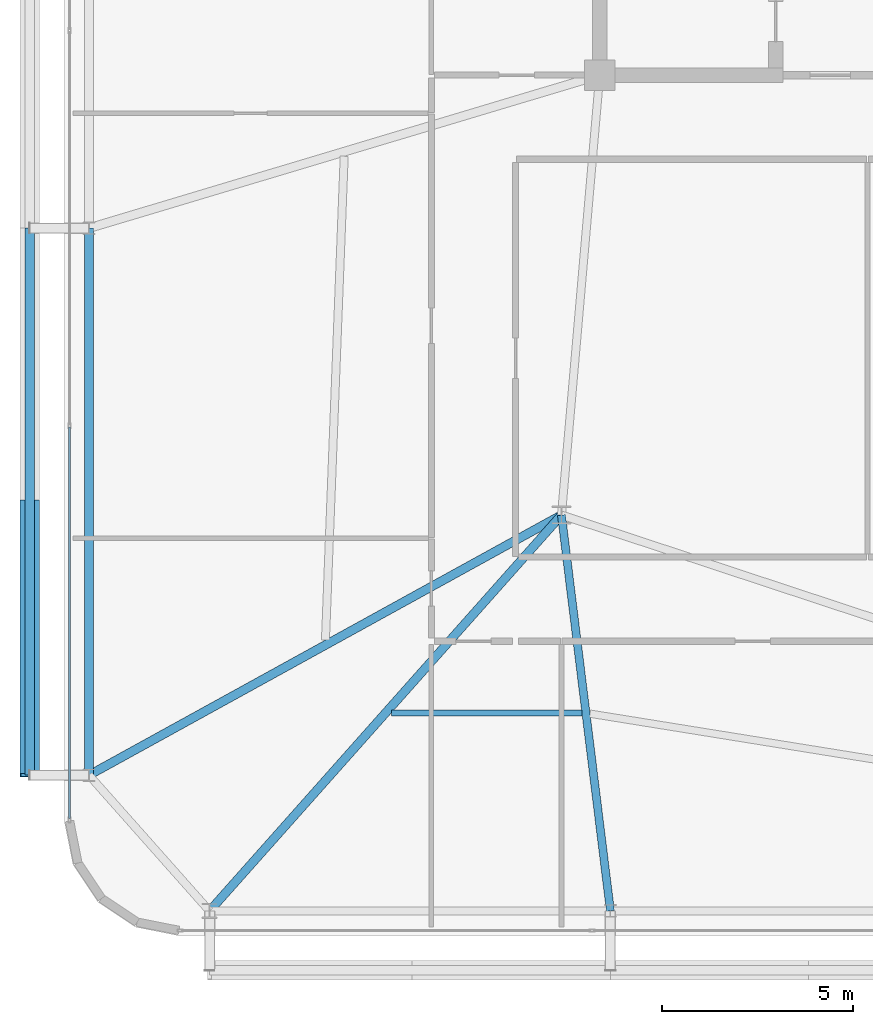
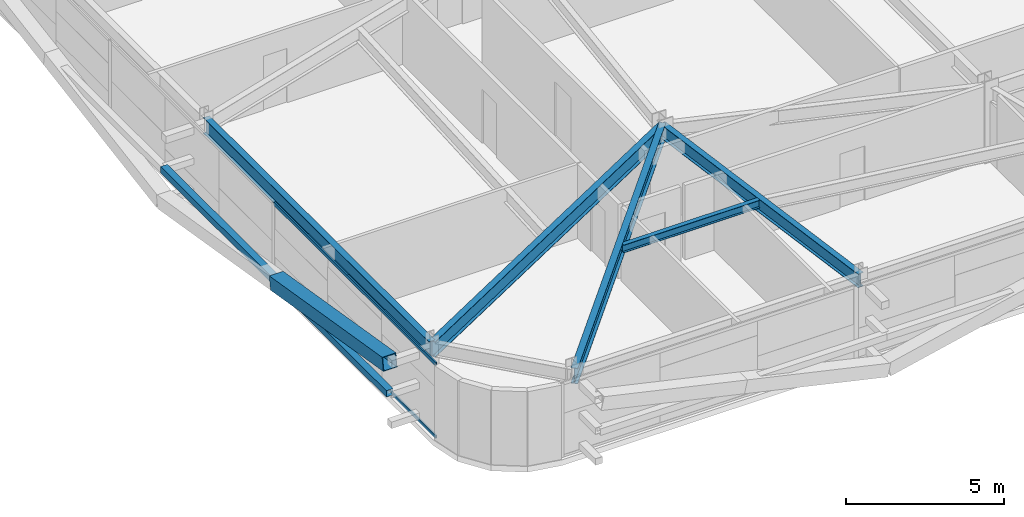
# One storey, part 7 of 45: 5 beams, 4 members, 1 element without a shape of its own.
"""IFC4 building model written with IfcOpenShell, lengths in metres."""

from ifc_helpers import new_model, si_unit, direction, frame, origin, origin_2d, place, context, subcontext, project, spatial, hollow_rectangle, i_section, extrude, source, transform, mapped, material, layer, layer_set, material_profile, profile_set, type_object, element, aggregate, save


model = new_model("IFC4")

# Units and contexts
model_context = context("Model", 3, precision=1e-05, world=origin(), true_north=direction((0.0, 1.0)))
body_context = subcontext(model_context, "Body", "Model", "MODEL_VIEW")
ifc_project = project(units=[si_unit("LENGTHUNIT", "METRE"), si_unit("AREAUNIT", "SQUARE_METRE"), si_unit("VOLUMEUNIT", "CUBIC_METRE"), si_unit("PLANEANGLEUNIT", "RADIAN"), si_unit("MASSUNIT", "GRAM", prefix="KILO")], contexts=[model_context])

# Site, building, storey
site_placement = place(None, origin())
site = spatial("IfcSite", under=ifc_project, at=site_placement, CompositionType="ELEMENT")
building_placement = place(site_placement, origin())
building = spatial("IfcBuilding", under=site, at=building_placement, Name="Taldren Reach Tower", CompositionType="ELEMENT")
storey_placement = place(building_placement, frame((0.0, 0.0, 57.75)))
storey = spatial("IfcBuildingStorey", under=building, at=storey_placement, Name="L17", CompositionType="ELEMENT", Elevation=57.75)

# Beams
ifc_material_1 = material(Name="Steel Gr 350 (350PLUS)", Category="steel")
ifc_material_profile_1 = material_profile(ifc_material_1, i_section(OverallWidth=0.22802734375, OverallDepth=0.60205078125, WebThickness=0.010498046875, FlangeThickness=0.014892578125, at=origin_2d()), Name="610UB101")
ifc_profile_set_1 = profile_set([ifc_material_profile_1], Name="Steel Gr 350 (350PLUS)")
beam_type_1 = type_object("IfcBeamType", Name="BM-UB610B", PredefinedType="BEAM", material=ifc_profile_set_1)
shared_shape_1 = source(origin(), body_context, "Body", "SweptSolid", [
    extrude(i_section(OverallWidth=0.22802734375, OverallDepth=0.60205078125, WebThickness=0.010498046875, FlangeThickness=0.014892578125, at=origin_2d()), origin(), (0.0, 0.0, 1.0), 14.300048828125),
])
beam_1_placement = place(storey_placement, frame((5.64990234375, 20.0, 2.569091796875), z_axis=(0.0, -1.0, 0.0), x_axis=(1.0, 0.0, 0.0)))
element("IfcBeam", 1, at=beam_1_placement, inside=storey, type_object=beam_type_1, Name="Perimeter gable girder B1 W2-W1 L17", PredefinedType="BEAM", context=body_context, shape_type="MappedRepresentation", body=[
    mapped(shared_shape_1, transform((0.0, 0.0, 0.0), scale=1.0)),
])
shared_shape_2 = source(origin(), body_context, "Body", "SweptSolid", [
    extrude(i_section(OverallWidth=0.22802734375, OverallDepth=0.60205078125, WebThickness=0.010498046875, FlangeThickness=0.014892578125, at=origin_2d()), origin(), (0.0, 0.0, 1.0), 13.847900390625),
])
beam_2_placement = place(storey_placement, frame((18.0, 12.5, 2.569091796875), z_axis=(-0.664358367375, -0.747414182164, 0.0), x_axis=(0.747414182164, -0.664358367375, 0.0)))
element("IfcBeam", 2, at=beam_2_placement, inside=storey, type_object=beam_type_1, Name="Primary floor girder B1-S1 L17", PredefinedType="BEAM", context=body_context, shape_type="MappedRepresentation", body=[
    mapped(shared_shape_2, transform((0.0, 0.0, 0.0), scale=1.0)),
])
ifc_material_profile_2 = material_profile(ifc_material_1, i_section(OverallWidth=0.208984375, OverallDepth=0.532958984375, WebThickness=0.01025390625, FlangeThickness=0.015625, at=origin_2d()), Name="530UB92.4")
ifc_profile_set_2 = profile_set([ifc_material_profile_2], Name="Steel Gr 350 (350PLUS)")
beam_type_2 = type_object("IfcBeamType", Name="BM-UB530A", PredefinedType="BEAM", material=ifc_profile_set_2)
shared_shape_3 = source(origin(), body_context, "Body", "SweptSolid", [
    extrude(i_section(OverallWidth=0.208984375, OverallDepth=0.532958984375, WebThickness=0.01025390625, FlangeThickness=0.015625, at=origin_2d()), origin(), (0.0, 0.0, 1.0), 10.428955078125),
])
beam_3_placement = place(storey_placement, frame((18.0, 12.5, 2.603515625), z_axis=(0.122738080664, -0.992439098159, 0.0), x_axis=(0.992439098159, 0.122738080664, 0.0)))
element("IfcBeam", 3, at=beam_3_placement, inside=storey, type_object=beam_type_2, Name="Primary floor girder B1-S2 L17", PredefinedType="BEAM", context=body_context, shape_type="MappedRepresentation", body=[
    mapped(shared_shape_3, transform((0.0, 0.0, 0.0), scale=1.0)),
])
shared_shape_4 = source(origin(), body_context, "Body", "SweptSolid", [
    extrude(i_section(OverallWidth=0.22802734375, OverallDepth=0.60205078125, WebThickness=0.010498046875, FlangeThickness=0.014892578125, at=origin_2d()), origin(), (0.0, 0.0, 1.0), 14.098388671875),
])
beam_4_placement = place(storey_placement, frame((18.0, 12.5, 2.569091796875), z_axis=(-0.875991325783, -0.482326857175, 0.0), x_axis=(0.482326857175, -0.875991325783, 0.0)))
element("IfcBeam", 4, at=beam_4_placement, inside=storey, type_object=beam_type_1, Name="Primary floor girder B1-W1 L17", PredefinedType="BEAM", context=body_context, shape_type="MappedRepresentation", body=[
    mapped(shared_shape_4, transform((0.0, 0.0, 0.0), scale=1.0)),
])
ifc_material_2 = material(Name="Steel Gr 300 (300PLUS, 300 MPa)", Category="steel")
ifc_material_profile_3 = material_profile(ifc_material_2, i_section(OverallWidth=0.166015625, OverallDepth=0.306884765625, WebThickness=0.006591796875, FlangeThickness=0.01171875, at=origin_2d()), Name="310UB46.2")
ifc_profile_set_3 = profile_set([ifc_material_profile_3], Name="Steel Gr 300 (300PLUS, 300 MPa)")
beam_type_3 = type_object("IfcBeamType", Name="JS-UB310", PredefinedType="JOIST", material=ifc_profile_set_3)
shared_shape_5 = source(origin(), body_context, "Body", "SweptSolid", [
    extrude(i_section(OverallWidth=0.166015625, OverallDepth=0.306884765625, WebThickness=0.006591796875, FlangeThickness=0.01171875, at=origin_2d()), origin(), (0.0, 0.0, 1.0), 4.982177734375),
])
beam_5_placement = place(storey_placement, frame((13.552490234375, 7.324951171875, 2.716552734375), z_axis=(1.0, 0.0, 0.0), x_axis=(0.0, 1.0, 0.0)))
element("IfcBeam", 5, at=beam_5_placement, inside=storey, type_object=beam_type_3, Name="Secondary floor joist B1 J1 L17", PredefinedType="JOIST", context=body_context, shape_type="MappedRepresentation", body=[
    mapped(shared_shape_5, transform((0.0, 0.0, 0.0), scale=1.0)),
])

# Members
ifc_material_3 = material(Name="Steel Gr 350 (C350L0)", Category="steel")
ifc_material_profile_4 = material_profile(ifc_material_3, hollow_rectangle(XDim=0.25, YDim=0.25, WallThickness=0.010009765625, at=origin_2d()), Name="250x250x10.0SHS")
ifc_profile_set_4 = profile_set([ifc_material_profile_4], Name="Steel Gr 350 (C350L0)")
member_type_1 = type_object("IfcMemberType", Name="MB-POST250", PredefinedType="POST", material=ifc_profile_set_4)
shared_shape_6 = source(origin(), body_context, "Body", "SweptSolid", [
    extrude(hollow_rectangle(XDim=0.25, YDim=0.25, WallThickness=0.010009765625, at=origin_2d()), origin(), (0.0, 0.0, 1.0), 14.300048828125),
])
member_1_placement = place(storey_placement, frame((4.10009765625, 5.699951171875, 1.405029296875), z_axis=(0.0, 1.0, 0.0), x_axis=(-1.0, 0.0, 0.0)))
element("IfcMember", 6, at=member_1_placement, inside=storey, type_object=member_type_1, Name="Exoskeleton mid-height ring chord B1-W1 L17", PredefinedType="POST", context=body_context, shape_type="MappedRepresentation", body=[
    mapped(shared_shape_6, transform((0.0, 0.0, 0.0), scale=1.0)),
])
ifc_material_4 = material(Name="Steel Gr 450 (C450L0)", Category="steel")
ifc_material_profile_5 = material_profile(ifc_material_4, hollow_rectangle(XDim=0.510009765625, YDim=0.510009765625, WallThickness=0.02001953125, at=origin_2d()), Name="510x510x20.0SHS")
ifc_profile_set_5 = profile_set([ifc_material_profile_5], Name="Steel Gr 450 (C450L0)")
member_type_2 = type_object("IfcMemberType", Name="MB-EXO508", PredefinedType="BRACE", material=ifc_profile_set_5)
shared_shape_7 = source(origin(), body_context, "Body", "SweptSolid", [
    extrude(hollow_rectangle(XDim=0.510009765625, YDim=0.510009765625, WallThickness=0.02001953125, at=origin_2d()), origin(), (0.0, 0.0, 1.0), 7.247802734375),
])
member_2_placement = place(storey_placement, frame((4.10009765625, 12.85009765625, 1.405029296875), z_axis=(0.0, -0.986541919455, 0.163508535427), x_axis=(1.0, 0.0, 0.0)))
element("IfcMember", 7, at=member_2_placement, inside=storey, type_object=member_type_2, Name="Exoskeleton Diagrid Brace B1-W1 L17", PredefinedType="BRACE", context=body_context, shape_type="MappedRepresentation", body=[
    mapped(shared_shape_7, transform((0.0, 0.0, 0.0), scale=1.0)),
])

# Curtain wall, members
ifc_material_5 = material(Name="Aluminium and Low-E Glass Unitised System", Category="aluminium")
ifc_layer = layer(ifc_material_5, 0.159912109375)
ifc_layer_set = layer_set([ifc_layer], Name="Aluminium and Low-E Glass Unitised System")
curtain_wall_type = type_object("IfcCurtainWallType", Name="CW-SYS-2", PredefinedType="NOTDEFINED", material=ifc_layer_set)
curtain_wall_placement = place(storey_placement, origin())
curtain_wall = element("IfcCurtainWall", 8, at=curtain_wall_placement, inside=storey, type_object=curtain_wall_type, Name="Unitised curtain wall CW-L17-W", PredefinedType="NOTDEFINED")
ifc_material_6 = material(Name="Anodised Aluminium 6063-T6", Category="aluminium")
ifc_material_profile_6 = material_profile(ifc_material_6, hollow_rectangle(XDim=0.054931640625, YDim=0.1201171875, WallThickness=0.0029296875, at=origin_2d()), Name="ALU-120x55x3RHS")
ifc_profile_set_6 = profile_set([ifc_material_profile_6], Name="Anodised Aluminium 6063-T6")
member_type_3 = type_object("IfcMemberType", Name="CW-TRN-135", PredefinedType="USERDEFINED", material=ifc_profile_set_6)
shared_shape_8 = source(origin(), body_context, "Body", "SweptSolid", [
    extrude(hollow_rectangle(XDim=0.054931640625, YDim=0.1201171875, WallThickness=0.0029296875, at=origin_2d()), origin(), (0.0, 0.0, 1.0), 10.23583984375),
])
member_3_placement = place(storey_placement, frame((5.139892578125, 14.80078125, 0.027587890625), z_axis=(0.0, -1.0, 0.0), x_axis=(1.0, 0.0, 0.0)))
member_3 = element("IfcMember", 9, at=member_3_placement, type_object=member_type_3, Name="CW-2 transom 3.1", ObjectType="TRANSOM", PredefinedType="USERDEFINED", context=body_context, shape_type="MappedRepresentation", body=[
    mapped(shared_shape_8, transform((0.0, 0.0, 0.0), scale=1.0)),
])
member_4_placement = place(storey_placement, frame((5.139892578125, 14.80078125, 2.842529296875), z_axis=(0.0, -1.0, 0.0), x_axis=(1.0, 0.0, 0.0)))
member_4 = element("IfcMember", 10, at=member_4_placement, type_object=member_type_3, Name="CW-2 transom 3.2", ObjectType="TRANSOM", PredefinedType="USERDEFINED", context=body_context, shape_type="MappedRepresentation", body=[
    mapped(shared_shape_8, transform((0.0, 0.0, 0.0), scale=1.0)),
])
aggregate(curtain_wall, [member_3, member_4])

save(model, "model.ifc")
